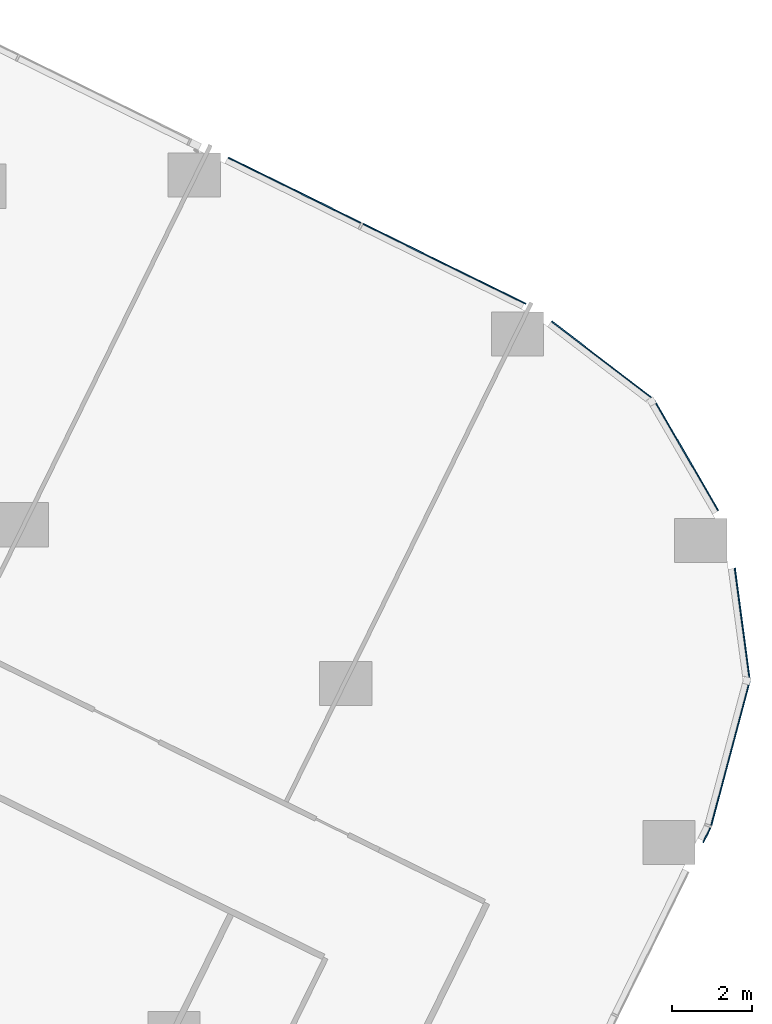
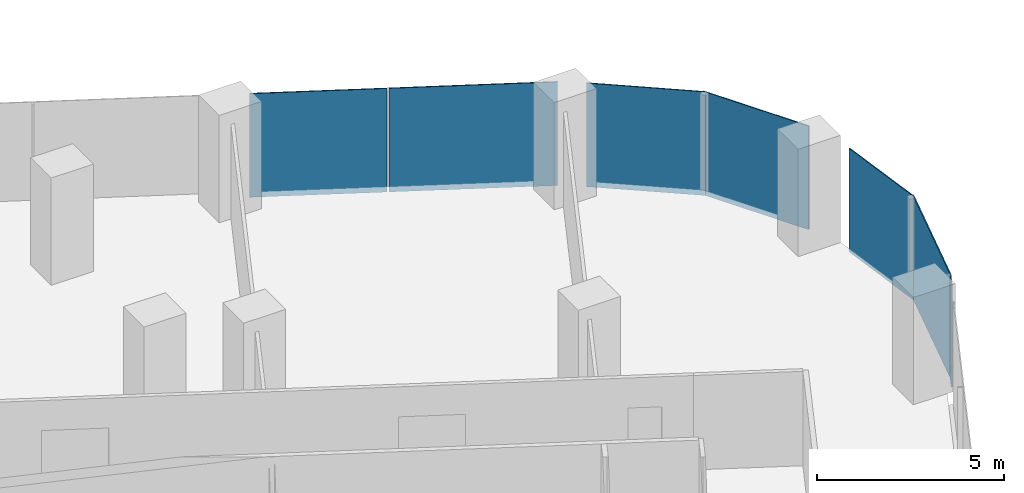
# One storey, part 23 of 38: 7 plates, 6 elements without a shape of their own.
"""IFC4 building model written with IfcOpenShell, lengths in metres."""

from ifc_helpers import new_model, si_unit, direction, frame, origin, origin_2d, place, context, subcontext, project, spatial, rectangle, extrude, material, layer, layer_set, type_object, element, aggregate, save


model = new_model("IFC4")

# Units and contexts
model_context = context("Model", 3, precision=1e-05, world=origin(), true_north=direction((0.0, 1.0)))
body_context = subcontext(model_context, "Body", "Model", "MODEL_VIEW")
ifc_project = project(units=[si_unit("LENGTHUNIT", "METRE"), si_unit("AREAUNIT", "SQUARE_METRE"), si_unit("VOLUMEUNIT", "CUBIC_METRE"), si_unit("PLANEANGLEUNIT", "RADIAN"), si_unit("MASSUNIT", "GRAM", prefix="KILO")], contexts=[model_context])

# Site, building, storey
site_placement = place(None, origin())
site = spatial("IfcSite", under=ifc_project, at=site_placement, CompositionType="ELEMENT")
building_placement = place(site_placement, origin())
building = spatial("IfcBuilding", under=site, at=building_placement, Name="Orlundy Tower", CompositionType="ELEMENT")
storey_placement = place(building_placement, frame((0.0, 0.0, 65.800048828125)))
storey = spatial("IfcBuildingStorey", under=building, at=storey_placement, Name="L15", CompositionType="ELEMENT", Elevation=65.800048828125)

# Curtain wall, plates
ifc_material_1 = material(Name="Aluminium bronze anodised", Category="aluminium")
curtain_wall_type = type_object("IfcCurtainWallType", Name="CW1 wall", PredefinedType="NOTDEFINED", material=ifc_material_1)
curtain_wall_1_placement = place(storey_placement, origin())
curtain_wall_1 = element("IfcCurtainWall", 1, at=curtain_wall_1_placement, inside=storey, type_object=curtain_wall_type, Name="CW1 run 018", PredefinedType="NOTDEFINED")
ifc_material_2 = material(Name="Tinted glass", Category="glass")
ifc_layer = layer(ifc_material_2, 0.031982421875)
ifc_layer_set = layer_set([ifc_layer], Name="CW1 glass panel 32")
plate_type = type_object("IfcPlateType", Name="CW1 glass panel 32", PredefinedType="CURTAIN_PANEL", material=ifc_layer_set)
plate_1_placement = place(storey_placement, frame((48.722900390625, -1.47314453125, -0.280029296875), z_axis=(0.0, 0.0, 1.0), x_axis=(0.897517823728, -0.440978180969, 0.0)))
plate_1 = element("IfcPlate", 2, at=plate_1_placement, type_object=plate_type, Name="CW1 panel", PredefinedType="CURTAIN_PANEL", context=body_context, shape_type="SweptSolid", body=[
    extrude(rectangle(XDim=3.68115234375, YDim=0.031982421875, at=origin_2d()), origin(), (0.0, 0.0, 1.0), 3.3798828125),
])
plate_2_placement = place(storey_placement, frame((52.447021484375, -3.302978515625, -0.280029296875), z_axis=(0.0, 0.0, 1.0), x_axis=(0.897517823728, -0.440978180969, 0.0)))
plate_2 = element("IfcPlate", 3, at=plate_2_placement, type_object=plate_type, Name="CW1 panel", PredefinedType="CURTAIN_PANEL", context=body_context, shape_type="SweptSolid", body=[
    extrude(rectangle(XDim=4.517578125, YDim=0.031982421875, at=origin_2d()), origin(), (0.0, 0.0, 1.0), 3.3798828125),
])
aggregate(curtain_wall_1, [plate_1, plate_2])

# Curtain wall, plate
curtain_wall_2_placement = place(storey_placement, origin())
curtain_wall_2 = element("IfcCurtainWall", 4, at=curtain_wall_2_placement, inside=storey, type_object=curtain_wall_type, Name="CW1 run 019", PredefinedType="NOTDEFINED")
plate_3_placement = place(storey_placement, frame((56.390869140625, -5.708740234375, -0.280029296875), z_axis=(0.0, 0.0, 1.0), x_axis=(0.794265929863, -0.607570269729, 0.0)))
plate_3 = element("IfcPlate", 5, at=plate_3_placement, type_object=plate_type, Name="CW1 panel", PredefinedType="CURTAIN_PANEL", context=body_context, shape_type="SweptSolid", body=[
    extrude(rectangle(XDim=3.202392578125, YDim=0.031982421875, at=origin_2d()), origin(), (0.0, 0.0, 1.0), 3.3798828125),
])
aggregate(curtain_wall_2, [plate_3])

curtain_wall_3_placement = place(storey_placement, origin())
curtain_wall_3 = element("IfcCurtainWall", 6, at=curtain_wall_3_placement, inside=storey, type_object=curtain_wall_type, Name="CW1 run 020", PredefinedType="NOTDEFINED")
plate_4_placement = place(storey_placement, frame((58.462158203125, -8.062255859375, -0.280029296875), z_axis=(0.0, 0.0, 1.0), x_axis=(0.501185126223, -0.865340088782, 0.0)))
plate_4 = element("IfcPlate", 7, at=plate_4_placement, type_object=plate_type, Name="CW1 panel", PredefinedType="CURTAIN_PANEL", context=body_context, shape_type="SweptSolid", body=[
    extrude(rectangle(XDim=3.191162109375, YDim=0.031982421875, at=origin_2d()), origin(), (0.0, 0.0, 1.0), 3.3798828125),
])
aggregate(curtain_wall_3, [plate_4])

curtain_wall_4_placement = place(storey_placement, origin())
curtain_wall_4 = element("IfcCurtainWall", 8, at=curtain_wall_4_placement, inside=storey, type_object=curtain_wall_type, Name="CW1 run 021", PredefinedType="NOTDEFINED")
plate_5_placement = place(storey_placement, frame((59.864013671875, -12.2802734375, -0.280029296875), z_axis=(0.0, 0.0, 1.0), x_axis=(0.131933971093, -0.991258506784, 0.0)))
plate_5 = element("IfcPlate", 9, at=plate_5_placement, type_object=plate_type, Name="CW1 panel", PredefinedType="CURTAIN_PANEL", context=body_context, shape_type="SweptSolid", body=[
    extrude(rectangle(XDim=2.833740234375, YDim=0.031982421875, at=origin_2d()), origin(), (0.0, 0.0, 1.0), 3.3798828125),
])
aggregate(curtain_wall_4, [plate_5])

curtain_wall_5_placement = place(storey_placement, origin())
curtain_wall_5 = element("IfcCurtainWall", 10, at=curtain_wall_5_placement, inside=storey, type_object=curtain_wall_type, Name="CW1 run 022", PredefinedType="NOTDEFINED")
plate_6_placement = place(storey_placement, frame((59.57080078125, -15.487060546875, -0.280029296875), z_axis=(0.0, 0.0, 1.0), x_axis=(-0.257360406209, -0.966315487466, 0.0)))
plate_6 = element("IfcPlate", 11, at=plate_6_placement, type_object=plate_type, Name="CW1 panel", PredefinedType="CURTAIN_PANEL", context=body_context, shape_type="SweptSolid", body=[
    extrude(rectangle(XDim=3.73046875, YDim=0.031982421875, at=origin_2d()), origin(), (0.0, 0.0, 1.0), 3.3798828125),
])
aggregate(curtain_wall_5, [plate_6])

curtain_wall_6_placement = place(storey_placement, origin())
curtain_wall_6 = element("IfcCurtainWall", 12, at=curtain_wall_6_placement, inside=storey, type_object=curtain_wall_type, Name="CW1 run 023", PredefinedType="NOTDEFINED")
plate_7_placement = place(storey_placement, frame((58.981201171875, -17.52392578125, -0.280029296875), z_axis=(0.0, 0.0, 1.0), x_axis=(-0.441012235503, -0.897501090883, 0.0)))
plate_7 = element("IfcPlate", 13, at=plate_7_placement, type_object=plate_type, Name="CW1 panel", PredefinedType="CURTAIN_PANEL", context=body_context, shape_type="SweptSolid", body=[
    extrude(rectangle(XDim=0.417724609375, YDim=0.031982421875, at=origin_2d()), origin(), (0.0, 0.0, 1.0), 3.3798828125),
])
aggregate(curtain_wall_6, [plate_7])

save(model, "model.ifc")
